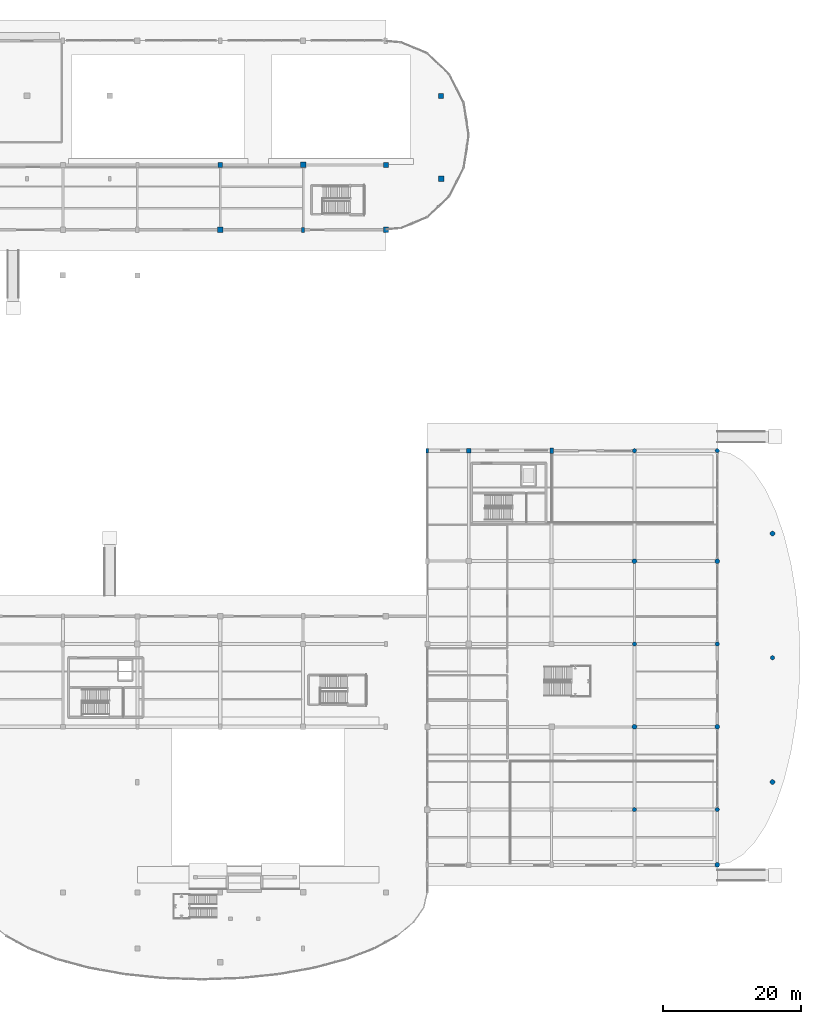
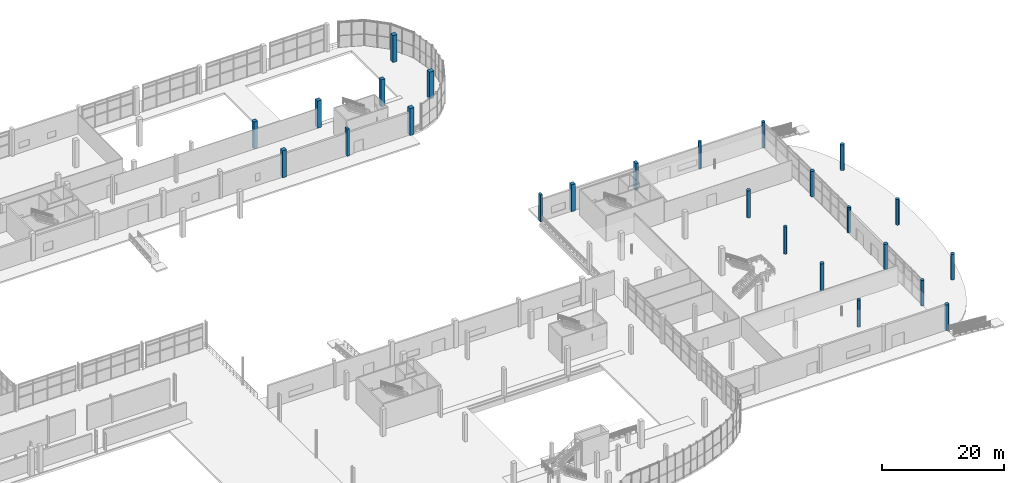
# One storey, part 14 of 85: 25 columns.
"""IFC4 building model written with IfcOpenShell, lengths in metres."""

from ifc_helpers import new_model, si_unit, direction, frame, origin, origin_2d, place, context, subcontext, project, spatial, rectangle, circle, extrude, material, material_profile, profile_set, type_object, element, save


model = new_model("IFC4")

# Units and contexts
model_context = context("Model", 3, precision=1e-05, world=origin(), true_north=direction((0.0, 1.0)))
body_context = subcontext(model_context, "Body", "Model", "MODEL_VIEW")
ifc_project = project(units=[si_unit("LENGTHUNIT", "METRE"), si_unit("AREAUNIT", "SQUARE_METRE"), si_unit("VOLUMEUNIT", "CUBIC_METRE"), si_unit("PLANEANGLEUNIT", "RADIAN"), si_unit("MASSUNIT", "GRAM", prefix="KILO"), si_unit("THERMODYNAMICTEMPERATUREUNIT", "KELVIN"), si_unit("POWERUNIT", "WATT")], contexts=[model_context])

# Site, building, storey
site_placement = place(None, origin())
site = spatial("IfcSite", under=ifc_project, at=site_placement, CompositionType="ELEMENT")
building_placement = place(site_placement, origin())
building = spatial("IfcBuilding", under=site, at=building_placement, Name="Solmara Park Aquatics Centre", CompositionType="ELEMENT")
storey_placement = place(building_placement, origin())
storey = spatial("IfcBuildingStorey", under=building, at=storey_placement, Name="L00", CompositionType="ELEMENT", Elevation=0.0)

# Columns
ifc_material = material(Name="Concrete C40/50", Category="concrete")
ifc_material_profile_1 = material_profile(ifc_material, rectangle(XDim=0.5, YDim=0.800048828125, at=origin_2d()), Name="RC 500x800")
ifc_profile_set_1 = profile_set([ifc_material_profile_1], Name="Concrete C40/50")
column_type_1 = type_object("IfcColumnType", Name="STR-COL-RC500x800", PredefinedType="COLUMN", material=ifc_profile_set_1)
column_1_placement = place(storey_placement, frame((180.0, 76.60009765625, 0.0), z_axis=(0.0, 0.0, 1.0), x_axis=(1.0, 0.0, 0.0)))
element("IfcColumn", 1, at=column_1_placement, inside=storey, type_object=column_type_1, Name="Column L00-0303", PredefinedType="COLUMN", context=body_context, shape_type="SweptSolid", body=[
    extrude(rectangle(XDim=0.5, YDim=0.800048828125, at=origin_2d()), origin(), (0.0, 0.0, 1.0), 5.39990234375),
])
ifc_material_profile_2 = material_profile(ifc_material, rectangle(XDim=0.699951171875, YDim=0.699951171875, at=origin_2d()), Name="RC 700x700")
ifc_profile_set_2 = profile_set([ifc_material_profile_2], Name="Concrete C40/50")
column_type_2 = type_object("IfcColumnType", Name="STR-COL-RC700", PredefinedType="COLUMN", material=ifc_profile_set_2)
for number, where, z_axis, x_axis, name in (
    (2, (132.0, 118.0, 0.0), (0.0, 0.0, 1.0), (1.0, 0.0, 0.0), "Column L00-0267"),
    (3, (156.0, 118.0, 0.0), (0.0, 0.0, 1.0), (1.0, 0.0, 0.0), "Column L00-0282"),
    (4, (168.0, 76.60009765625, 0.0), (0.0, 0.0, 1.0), (1.0, 0.0, 0.0), "Column L00-0297"),
):
    element("IfcColumn", number, at=place(storey_placement, frame(where, z_axis=z_axis, x_axis=x_axis)), inside=storey, type_object=column_type_2, Name=name, PredefinedType="COLUMN", context=body_context, shape_type="SweptSolid", body=[
        extrude(rectangle(XDim=0.699951171875, YDim=0.699951171875, at=origin_2d()), origin(), (0.0, 0.0, 1.0), 5.39990234375),
    ])
ifc_material_profile_3 = material_profile(ifc_material, rectangle(XDim=0.75, YDim=0.75, at=origin_2d()), Name="RC 750x750")
ifc_profile_set_3 = profile_set([ifc_material_profile_3], Name="Concrete C40/50")
column_type_3 = type_object("IfcColumnType", Name="STR-COL-RC750", PredefinedType="COLUMN", material=ifc_profile_set_3)
for number, where, z_axis, x_axis, name in (
    (5, (132.0, 108.60009765625, 0.0), (0.0, 0.0, 1.0), (1.0, 0.0, 0.0), "Column L00-0266"),
    (6, (156.0, 108.60009765625, 0.0), (0.0, 0.0, 1.0), (1.0, 0.0, 0.0), "Column L00-0281"),
    (7, (164.0, 128.0, 0.0), (0.0, 0.0, 1.0), (1.0, 0.0, 0.0), "Column L00-0291"),
):
    element("IfcColumn", number, at=place(storey_placement, frame(where, z_axis=z_axis, x_axis=x_axis)), inside=storey, type_object=column_type_3, Name=name, PredefinedType="COLUMN", context=body_context, shape_type="SweptSolid", body=[
        extrude(rectangle(XDim=0.75, YDim=0.75, at=origin_2d()), origin(), (0.0, 0.0, 1.0), 5.39990234375),
    ])
ifc_material_profile_4 = material_profile(ifc_material, rectangle(XDim=0.800048828125, YDim=0.800048828125, at=origin_2d()), Name="RC 800x800")
ifc_profile_set_4 = profile_set([ifc_material_profile_4], Name="Concrete C40/50")
column_type_4 = type_object("IfcColumnType", Name="STR-COL-RC800", PredefinedType="COLUMN", material=ifc_profile_set_4)
for number, where, z_axis, x_axis, name in (
    (8, (144.0, 118.0, 0.0), (0.0, 0.0, 1.0), (1.0, 0.0, 0.0), "Column L00-0275"),
    (9, (164.0, 116.0, 0.0), (0.0, 0.0, 1.0), (1.0, 0.0, 0.0), "Column L00-0290"),
):
    element("IfcColumn", number, at=place(storey_placement, frame(where, z_axis=z_axis, x_axis=x_axis)), inside=storey, type_object=column_type_4, Name=name, PredefinedType="COLUMN", context=body_context, shape_type="SweptSolid", body=[
        extrude(rectangle(XDim=0.800048828125, YDim=0.800048828125, at=origin_2d()), origin(), (0.0, 0.0, 1.0), 5.39990234375),
    ])
ifc_material_profile_5 = material_profile(ifc_material, circle(Radius=0.300048828125, at=origin_2d()), Name="RC COL D600")
ifc_profile_set_5 = profile_set([ifc_material_profile_5], Name="Concrete C40/50")
column_type_5 = type_object("IfcColumnType", Name="STR-COL-RCD600", PredefinedType="COLUMN", material=ifc_profile_set_5)
for number, where, z_axis, x_axis, name in (
    (10, (192.0, 24.60009765625, 0.0), (0.0, 0.0, 1.0), (1.0, 0.0, 0.0), "Column L00-0305"),
    (11, (192.0, 48.60009765625, 0.0), (0.0, 0.0, 1.0), (1.0, 0.0, 0.0), "Column L00-0307"),
    (12, (192.0, 76.60009765625, 0.0), (0.0, 0.0, 1.0), (1.0, 0.0, 0.0), "Column L00-0309"),
):
    element("IfcColumn", number, at=place(storey_placement, frame(where, z_axis=z_axis, x_axis=x_axis)), inside=storey, type_object=column_type_5, Name=name, PredefinedType="COLUMN", context=body_context, shape_type="SweptSolid", body=[
        extrude(circle(Radius=0.300048828125, at=origin_2d()), origin(), (0.0, 0.0, 1.0), 5.39990234375),
    ])
for number, where, z_axis, x_axis, name in (
    (13, (204.0, 24.60009765625, 0.0), (0.0, 0.0, 1.0), (1.0, 0.0, 0.0), "Column L00-0311"),
    (14, (204.0, 48.60009765625, 0.0), (0.0, 0.0, 1.0), (1.0, 0.0, 0.0), "Column L00-0313"),
):
    element("IfcColumn", number, at=place(storey_placement, frame(where, z_axis=z_axis, x_axis=x_axis)), inside=storey, type_object=column_type_5, Name=name, PredefinedType="COLUMN", context=body_context, shape_type="SweptSolid", body=[
        extrude(circle(Radius=0.300048828125, at=origin_2d()), origin(), (0.0, 0.0, 1.0), 5.080078125),
    ])
for number, where, z_axis, x_axis, name in (
    (15, (204.0, 76.60009765625, 0.0), (0.0, 0.0, 1.0), (1.0, 0.0, 0.0), "Column L00-0315"),
    (16, (212.0, 46.60009765625, 0.0), (0.0, 0.0, 1.0), (1.0, 0.0, 0.0), "Column L00-0317"),
):
    element("IfcColumn", number, at=place(storey_placement, frame(where, z_axis=z_axis, x_axis=x_axis)), inside=storey, type_object=column_type_5, Name=name, PredefinedType="COLUMN", context=body_context, shape_type="SweptSolid", body=[
        extrude(circle(Radius=0.300048828125, at=origin_2d()), origin(), (0.0, 0.0, 1.0), 5.139892578125),
    ])
ifc_material_profile_6 = material_profile(ifc_material, circle(Radius=0.35009765625, at=origin_2d()), Name="RC COL D700")
ifc_profile_set_6 = profile_set([ifc_material_profile_6], Name="Concrete C40/50")
column_type_6 = type_object("IfcColumnType", Name="STR-COL-RCD700", PredefinedType="COLUMN", material=ifc_profile_set_6)
for number, where, z_axis, x_axis, name in (
    (17, (192.0, 36.60009765625, 0.0), (0.0, 0.0, 1.0), (1.0, 0.0, 0.0), "Column L00-0306"),
    (18, (192.0, 60.60009765625, 0.0), (0.0, 0.0, 1.0), (1.0, 0.0, 0.0), "Column L00-0308"),
):
    element("IfcColumn", number, at=place(storey_placement, frame(where, z_axis=z_axis, x_axis=x_axis)), inside=storey, type_object=column_type_6, Name=name, PredefinedType="COLUMN", context=body_context, shape_type="SweptSolid", body=[
        extrude(circle(Radius=0.35009765625, at=origin_2d()), origin(), (0.0, 0.0, 1.0), 5.39990234375),
    ])
column_2_placement = place(storey_placement, frame((204.0, 16.60009765625, 0.0), z_axis=(0.0, 0.0, 1.0), x_axis=(1.0, 0.0, 0.0)))
element("IfcColumn", 19, at=column_2_placement, inside=storey, type_object=column_type_6, Name="Column L00-0310", PredefinedType="COLUMN", context=body_context, shape_type="SweptSolid", body=[
    extrude(circle(Radius=0.35009765625, at=origin_2d()), origin(), (0.0, 0.0, 1.0), 5.139892578125),
])
for number, where, z_axis, x_axis, name in (
    (20, (204.0, 36.60009765625, 0.0), (0.0, 0.0, 1.0), (1.0, 0.0, 0.0), "Column L00-0312"),
    (21, (204.0, 60.60009765625, 0.0), (0.0, 0.0, 1.0), (1.0, 0.0, 0.0), "Column L00-0314"),
):
    element("IfcColumn", number, at=place(storey_placement, frame(where, z_axis=z_axis, x_axis=x_axis)), inside=storey, type_object=column_type_6, Name=name, PredefinedType="COLUMN", context=body_context, shape_type="SweptSolid", body=[
        extrude(circle(Radius=0.35009765625, at=origin_2d()), origin(), (0.0, 0.0, 1.0), 5.080078125),
    ])
for number, where, z_axis, x_axis, name in (
    (22, (212.0, 28.60009765625, 0.0), (0.0, 0.0, 1.0), (1.0, 0.0, 0.0), "Column L00-0316"),
    (23, (212.0, 64.60009765625, 0.0), (0.0, 0.0, 1.0), (1.0, 0.0, 0.0), "Column L00-0318"),
):
    element("IfcColumn", number, at=place(storey_placement, frame(where, z_axis=z_axis, x_axis=x_axis)), inside=storey, type_object=column_type_6, Name=name, PredefinedType="COLUMN", context=body_context, shape_type="SweptSolid", body=[
        extrude(circle(Radius=0.35009765625, at=origin_2d()), origin(), (0.0, 0.0, 1.0), 5.139892578125),
    ])
ifc_material_profile_7 = material_profile(ifc_material, rectangle(XDim=0.39990234375, YDim=0.699951171875, at=origin_2d()), Name="RC 400x700")
ifc_profile_set_7 = profile_set([ifc_material_profile_7], Name="Concrete C40/50")
column_type_7 = type_object("IfcColumnType", Name="STR-PIL-RC400x700", PredefinedType="PILASTER", material=ifc_profile_set_7)
for number, where, z_axis, x_axis, name in (
    (24, (144.0, 108.60009765625, 0.0), (0.0, 0.0, 1.0), (1.0, 0.0, 0.0), "Column L00-0274"),
    (25, (162.0, 76.60009765625, 0.0), (0.0, 0.0, 1.0), (1.0, 0.0, 0.0), "Column L00-0289"),
):
    element("IfcColumn", number, at=place(storey_placement, frame(where, z_axis=z_axis, x_axis=x_axis)), inside=storey, type_object=column_type_7, Name=name, PredefinedType="PILASTER", context=body_context, shape_type="SweptSolid", body=[
        extrude(rectangle(XDim=0.39990234375, YDim=0.699951171875, at=origin_2d()), origin(), (0.0, 0.0, 1.0), 5.39990234375),
    ])

save(model, "model.ifc")
